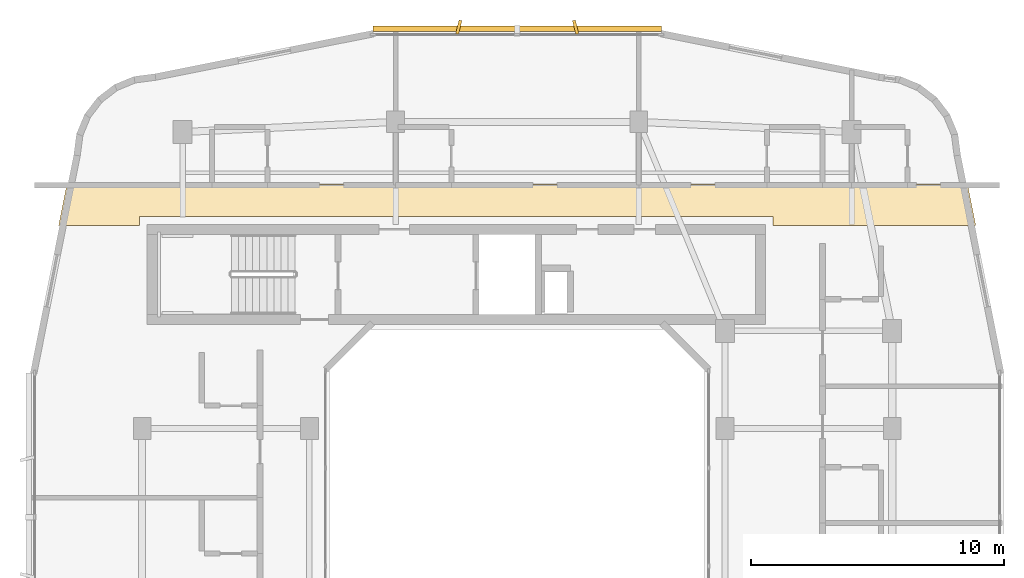
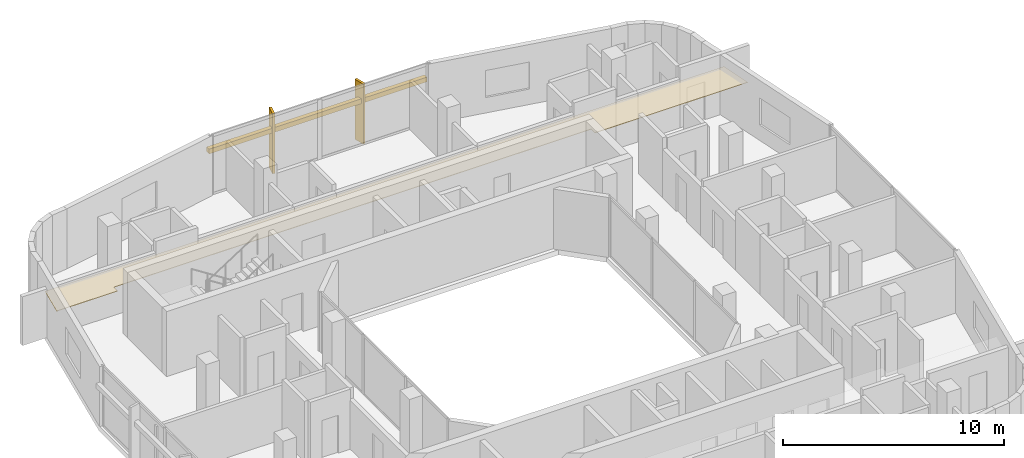
# One storey, part 14 of 14: 3 shading devices, 1 covering.
"""IFC4 building model written with IfcOpenShell, lengths in metres."""

import ifcopenshell
import ifcopenshell.guid

model = None  # the IFC model being written
_history = None  # IfcOwnerHistory: only IFC2X3 demands one
_inside = {}  # id of a spatial element -> (the spatial element, [elements in it])
_under = {}  # id of a project, library or spatial element -> (it, [spatial elements below it])
_declared = {}  # id of a project -> (the project, [libraries it declares])
_typed = {}  # id of a type object -> (the type object, [elements of that type])
_made_of = {}  # id of a material, layer set ... -> (it, [elements and type objects made of it])


def new_model(schema):
    """Start an empty IFC model of exactly this schema.

    Asked for "IFC4X3", IfcOpenShell would pick the latest addendum, in which some entities
    have other attributes; the version numbers below select the first issue.
    IFC2X3 requires an IfcOwnerHistory on every rooted entity: one is made here for all.
    """
    global model, _history
    if schema == "IFC4X3":
        model = ifcopenshell.file(schema_version=(4, 3, 0, 0))
    else:
        model = ifcopenshell.file(schema=schema)
    _inside.clear()
    _under.clear()
    _declared.clear()
    _typed.clear()
    _made_of.clear()
    _history = None
    if model.schema == "IFC2X3":
        org = make("IfcOrganization", Name="unknown")
        user = make(
            "IfcPersonAndOrganization",
            ThePerson=make("IfcPerson", FamilyName="unknown"),
            TheOrganization=org,
        )
        app = make(
            "IfcApplication",
            ApplicationDeveloper=org,
            Version="unknown",
            ApplicationFullName="unknown",
            ApplicationIdentifier="unknown",
        )
        _history = make(
            "IfcOwnerHistory",
            OwningUser=user,
            OwningApplication=app,
            ChangeAction="ADDED",
            CreationDate=0,
        )
    return model


def make(cls, **values):
    """One entity of the class cls with the attributes given. An attribute that is None is left unset."""
    return model.create_entity(
        cls, **{name: value for name, value in values.items() if value is not None}
    )


def rooted(cls, **values):
    """An entity with a GlobalId (a new one), such as an element, a storey or a relation."""
    return make(cls, GlobalId=ifcopenshell.guid.new(), OwnerHistory=_history, **values)


def si_unit(unit_type, name, prefix=None):
    """IfcSIUnit, for example si_unit("LENGTHUNIT", "METRE", prefix="MILLI")."""
    return make("IfcSIUnit", UnitType=unit_type, Prefix=prefix, Name=name)


def derived_unit(unit_type, elements):
    """IfcDerivedUnit: a product of units, each with its exponent."""
    return make(
        "IfcDerivedUnit",
        Elements=[
            make("IfcDerivedUnitElement", Unit=unit, Exponent=power)
            for unit, power in elements
        ],
        UnitType=unit_type,
    )


def assignment(units):
    """IfcUnitAssignment: the units of a project."""
    return None if units is None else make("IfcUnitAssignment", Units=units)


def point(xyz):
    """IfcCartesianPoint."""
    return None if xyz is None else make("IfcCartesianPoint", Coordinates=xyz)


def direction(xyz):
    """IfcDirection."""
    return None if xyz is None else make("IfcDirection", DirectionRatios=xyz)


def frame(location, z_axis=None, x_axis=None):
    """IfcAxis2Placement3D, a coordinate frame: its origin and axes. An axis left out is left unset."""
    return make(
        "IfcAxis2Placement3D",
        Location=point(location),
        Axis=direction(z_axis),
        RefDirection=direction(x_axis),
    )


def frame_2d(location, x_axis=None):
    """IfcAxis2Placement2D, a coordinate frame in the plane: its origin and x axis."""
    return make(
        "IfcAxis2Placement2D", Location=point(location), RefDirection=direction(x_axis)
    )


def origin():
    """The frame at (0, 0, 0) with its axes left unset."""
    return frame((0.0, 0.0, 0.0))


def origin_2d():
    """The frame at (0, 0) in the plane with its x axis left unset."""
    return frame_2d((0.0, 0.0))


def place(relative_to, where):
    """IfcLocalPlacement: puts the frame where relative to a parent placement (None: the world)."""
    return make(
        "IfcLocalPlacement", PlacementRelTo=relative_to, RelativePlacement=where
    )


def context(
    kind, dimensions, precision=None, world=None, true_north=None, identifier=None
):
    """IfcGeometricRepresentationContext, for example the 3D "Model" context."""
    return make(
        "IfcGeometricRepresentationContext",
        ContextIdentifier=identifier,
        ContextType=kind,
        CoordinateSpaceDimension=dimensions,
        Precision=precision,
        WorldCoordinateSystem=world,
        TrueNorth=true_north,
    )


def subcontext(parent, identifier, kind, view, scale=None):
    """IfcGeometricRepresentationSubContext, for example "Body" below "Model"."""
    return make(
        "IfcGeometricRepresentationSubContext",
        ContextIdentifier=identifier,
        ContextType=kind,
        ParentContext=parent,
        TargetScale=scale,
        TargetView=view,
    )


def project(units=None, contexts=None):
    """IfcProject with its units and contexts."""
    return rooted(
        "IfcProject",
        Name="project",
        RepresentationContexts=contexts,
        UnitsInContext=assignment(units),
    )


def spatial(cls, under=None, at=None, **own):
    """A site, building, storey or space (cls), placed at a placement, below another one or the project."""
    s = rooted(cls, ObjectPlacement=at, **own)
    if under is not None:
        _under.setdefault(under.id(), (under, []))[1].append(s)
    return s


def polyline(points):
    """IfcPolyline through the points."""
    return make("IfcPolyline", Points=[point(p) for p in points])


def profile(cls, at=None, kind="AREA", **sizes):
    """A parametric profile (cls). Its sizes go by their IFC names, for example OverallWidth=200.0."""
    return make(cls, ProfileType=kind, Position=at, **sizes)


def rectangle(**sizes):
    """IfcRectangleProfileDef."""
    return profile("IfcRectangleProfileDef", **sizes)


def outline(outer, holes=None, kind="AREA"):
    """IfcArbitraryClosedProfileDef: a profile drawn as a closed curve; with holes, ...WithVoids."""
    if holes is None:
        return make("IfcArbitraryClosedProfileDef", ProfileType=kind, OuterCurve=outer)
    return make(
        "IfcArbitraryProfileDefWithVoids",
        ProfileType=kind,
        OuterCurve=outer,
        InnerCurves=holes,
    )


def extrude(swept, where, along, depth):
    """IfcExtrudedAreaSolid: the profile swept, set in the frame where, extruded along a direction by depth."""
    return make(
        "IfcExtrudedAreaSolid",
        SweptArea=swept,
        Position=where,
        ExtrudedDirection=direction(along),
        Depth=depth,
    )


def shape(context_of_items, identifier, shape_type, items):
    """IfcShapeRepresentation: the items that make up one representation, for example the "Body"."""
    return make(
        "IfcShapeRepresentation",
        ContextOfItems=context_of_items,
        RepresentationIdentifier=identifier,
        RepresentationType=shape_type,
        Items=items,
    )


def material(Name=None, Category=None):
    """IfcMaterial."""
    return make("IfcMaterial", Name=Name, Category=Category)


def layer(
    of_material, thickness, ventilated=None, Name=None, Category=None, Priority=None
):
    """IfcMaterialLayer: one layer of a wall or slab, of a material (None: an air gap)."""
    return make(
        "IfcMaterialLayer",
        Material=of_material,
        LayerThickness=thickness,
        IsVentilated=ventilated,
        Name=Name,
        Category=Category,
        Priority=Priority,
    )


def layer_set(layers, Name=None):
    """IfcMaterialLayerSet."""
    return make("IfcMaterialLayerSet", MaterialLayers=layers, LayerSetName=Name)


def made_of(thing, what):
    """Note that an element or type object is made of a material, layer set ...; save() writes the relation."""
    if what is not None:
        _made_of.setdefault(what.id(), (what, []))[1].append(thing)
    return thing


def type_object(cls, material=None, **own):
    """A type object (cls), such as IfcWallType, which elements share."""
    return made_of(rooted(cls, **own), material)


def element(
    cls,
    number,
    at=None,
    inside=None,
    cuts=None,
    type_object=None,
    material=None,
    context=None,
    identifier="Body",
    shape_type=None,
    held_by="IfcProductDefinitionShape",
    body=None,
    shapes=None,
    **own,
):
    """One element of the class cls, such as IfcWall. Its Tag is "e" and its number.

    at: its placement. inside: the storey or other place that contains it. cuts: it is an
    opening in that element (IfcRelVoidsElement). A single representation is given by context,
    identifier, shape_type and body (its items); several are given by shapes. held_by: the class
    of the entity that holds the representations. save() writes the other relations.
    """
    e = rooted(cls, Tag="e%d" % number, ObjectPlacement=at, **own)
    if body is not None:
        shapes = [shape(context, identifier, shape_type, body)]
    if shapes is not None:
        e.Representation = make(held_by, Representations=shapes)
    if inside is not None:
        _inside.setdefault(inside.id(), (inside, []))[1].append(e)
    if cuts is not None:
        rooted(
            "IfcRelVoidsElement", RelatingBuildingElement=cuts, RelatedOpeningElement=e
        )
    if type_object is not None:
        _typed.setdefault(type_object.id(), (type_object, []))[1].append(e)
    return made_of(e, material)


def aggregate(whole, parts):
    """IfcRelAggregates: a whole, such as a stair, and the parts it consists of."""
    return rooted("IfcRelAggregates", RelatingObject=whole, RelatedObjects=parts)


def save(model, path):
    """Write the relations noted so far, then the file.

    IfcRelAggregates (storeys below a building ...), IfcRelContainedInSpatialStructure (elements
    in a storey), IfcRelDefinesByType, IfcRelAssociatesMaterial and IfcRelDeclares: one each for
    every whole, place, type object, material and project.
    """
    for whole, parts in _under.values():
        aggregate(whole, parts)
    for where, things in _inside.values():
        rooted(
            "IfcRelContainedInSpatialStructure",
            RelatedElements=things,
            RelatingStructure=where,
        )
    for kind, things in _typed.values():
        rooted("IfcRelDefinesByType", RelatedObjects=things, RelatingType=kind)
    for what, things in _made_of.values():
        rooted("IfcRelAssociatesMaterial", RelatedObjects=things, RelatingMaterial=what)
    for by, libraries in _declared.values():
        rooted("IfcRelDeclares", RelatingContext=by, RelatedDefinitions=libraries)
    model.write(path)


model = new_model("IFC4")

# Units and contexts
model_context = context("Model", 3, precision=1e-05, world=origin(), true_north=direction((0.0, 1.0)))
body_context = subcontext(model_context, "Body", "Model", "MODEL_VIEW")
ifc_project = project(units=[si_unit("LENGTHUNIT", "METRE"), si_unit("AREAUNIT", "SQUARE_METRE"), si_unit("VOLUMEUNIT", "CUBIC_METRE"), si_unit("PLANEANGLEUNIT", "RADIAN"), si_unit("MASSUNIT", "GRAM", prefix="KILO"), derived_unit("THERMALTRANSMITTANCEUNIT", [(si_unit("POWERUNIT", "WATT"), 1), (si_unit("LENGTHUNIT", "METRE"), -2), (si_unit("THERMODYNAMICTEMPERATUREUNIT", "KELVIN"), -1)])], contexts=[model_context])

# Site, building, storey
site_placement = place(None, origin())
site = spatial("IfcSite", under=ifc_project, at=site_placement, CompositionType="ELEMENT")
building_placement = place(site_placement, origin())
building = spatial("IfcBuilding", under=site, at=building_placement, Name="Kivonza Crest Hotel", CompositionType="ELEMENT")
storey_placement = place(building_placement, frame((0.0, 0.0, 224.300048828125)))
storey = spatial("IfcBuildingStorey", under=building, at=storey_placement, Name="L61", CompositionType="ELEMENT", Elevation=224.300048828125)

# Covering
ifc_material_1 = material(Name="Moisture-resistant gypsum plasterboard ceiling", Category="gypsum")
ifc_layer = layer(ifc_material_1, 0.030029296875)
ifc_layer_set = layer_set([ifc_layer], Name="Moisture-resistant gypsum plasterboard ceiling")
covering_type = type_object("IfcCoveringType", Name="CV-CEIL-GYP", PredefinedType="CEILING", material=ifc_layer_set)
covering_placement = place(storey_placement, frame((0.0, 0.0, 2.449951171875)))
element("IfcCovering", 1, at=covering_placement, inside=storey, type_object=covering_type, Name="L61 Hotel North Guest Corridor suspended ceiling", PredefinedType="CEILING", context=body_context, shape_type="SweptSolid", body=[
    extrude(outline(polyline([(3.22802734375, 38.139892578125), (2.906005859375, 36.52001953125), (6.10009765625, 36.52001953125), (6.10009765625, 36.860107421875), (31.10009765625, 36.860107421875), (31.10009765625, 36.52001953125), (39.093994140625, 36.52001953125), (38.77197265625, 38.139892578125), (3.22802734375, 38.139892578125)])), origin(), (0.0, 0.0, 1.0), 0.030029296875),
])

# Shading devices
ifc_material_2 = material(Name="Kiln-fired Nairobi red-ochre terracotta", Category="masonry")
shading_device_type_1 = type_object("IfcShadingDeviceType", Name="SH-BAGUETTE-300", PredefinedType="USERDEFINED", material=ifc_material_2)
shading_device_placement = place(storey_placement, frame((21.0, 44.280029296875, 2.19384765625), z_axis=(0.0, 0.0, 1.0), x_axis=(-1.0, 0.0, 0.0)))
element("IfcShadingDevice", 2, at=shading_device_placement, inside=storey, type_object=shading_device_type_1, Name="L61 terracotta baguette screen CW-T1-L61-26", ObjectType="BAGUETTE", PredefinedType="USERDEFINED", context=body_context, shape_type="SweptSolid", body=[
    extrude(rectangle(XDim=11.39990234375, YDim=0.219970703125, at=origin_2d()), origin(), (0.0, 0.0, 1.0), 0.260009765625),
])
ifc_material_3 = material(Name="Kiln-fired terracotta over extruded aluminium spine", Category="masonry")
shading_device_type_2 = type_object("IfcShadingDeviceType", Name="SH-FIN-550", PredefinedType="USERDEFINED", material=ifc_material_3)
for number, where, z_axis, x_axis, name in (
    (3, (23.303955078125, 44.340087890625, 0.0), (0.0, 0.0, 1.0), (-0.970295726276, -0.2419218956, 0.0), "L61 vertical solar shading fin CW-T1-L61-26-1"),
    (4, (18.696044921875, 44.340087890625, 0.0), (0.0, 0.0, 1.0), (-0.970295726276, 0.2419218956, 0.0), "L61 vertical solar shading fin CW-T1-L61-26-2"),
):
    element("IfcShadingDevice", number, at=place(storey_placement, frame(where, z_axis=z_axis, x_axis=x_axis)), inside=storey, type_object=shading_device_type_2, Name=name, ObjectType="FIN", PredefinedType="USERDEFINED", context=body_context, shape_type="SweptSolid", body=[
        extrude(rectangle(XDim=0.1201171875, YDim=0.550048828125, at=origin_2d()), origin(), (0.0, 0.0, 1.0), 3.320068359375),
    ])

save(model, "model.ifc")
